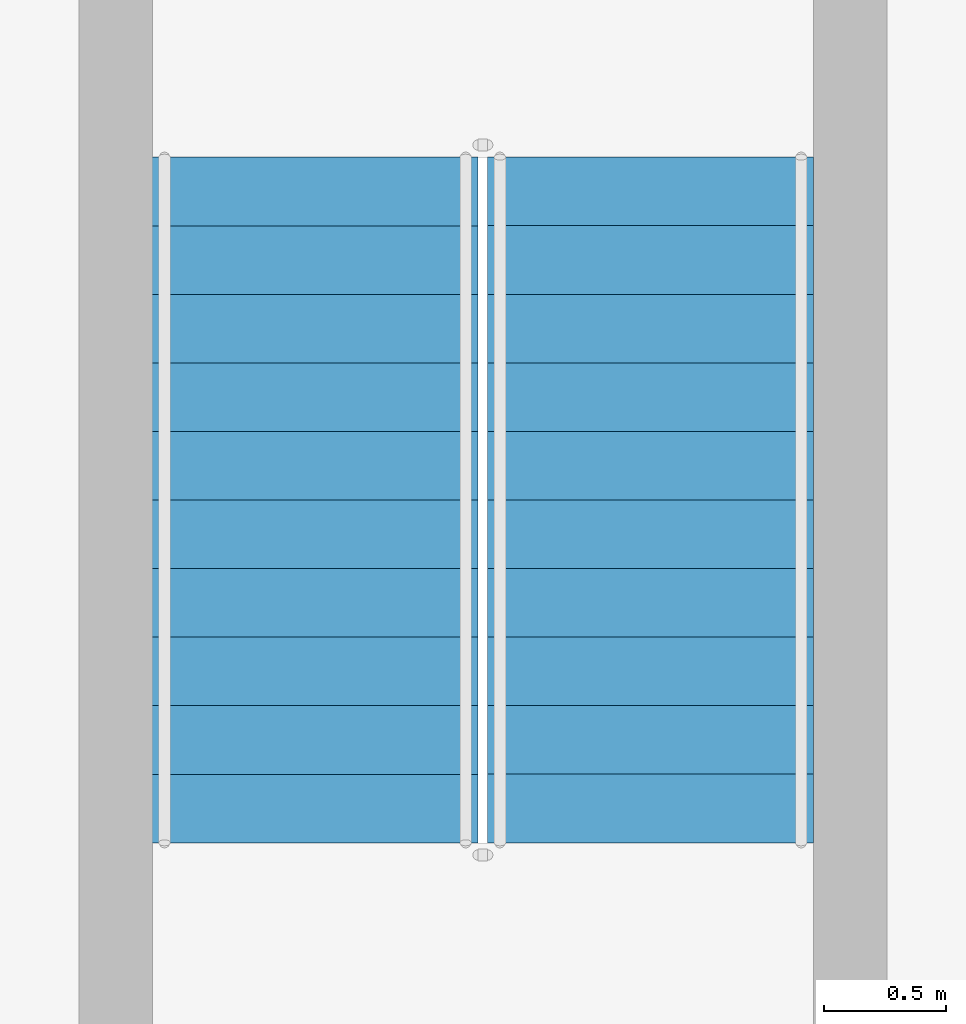
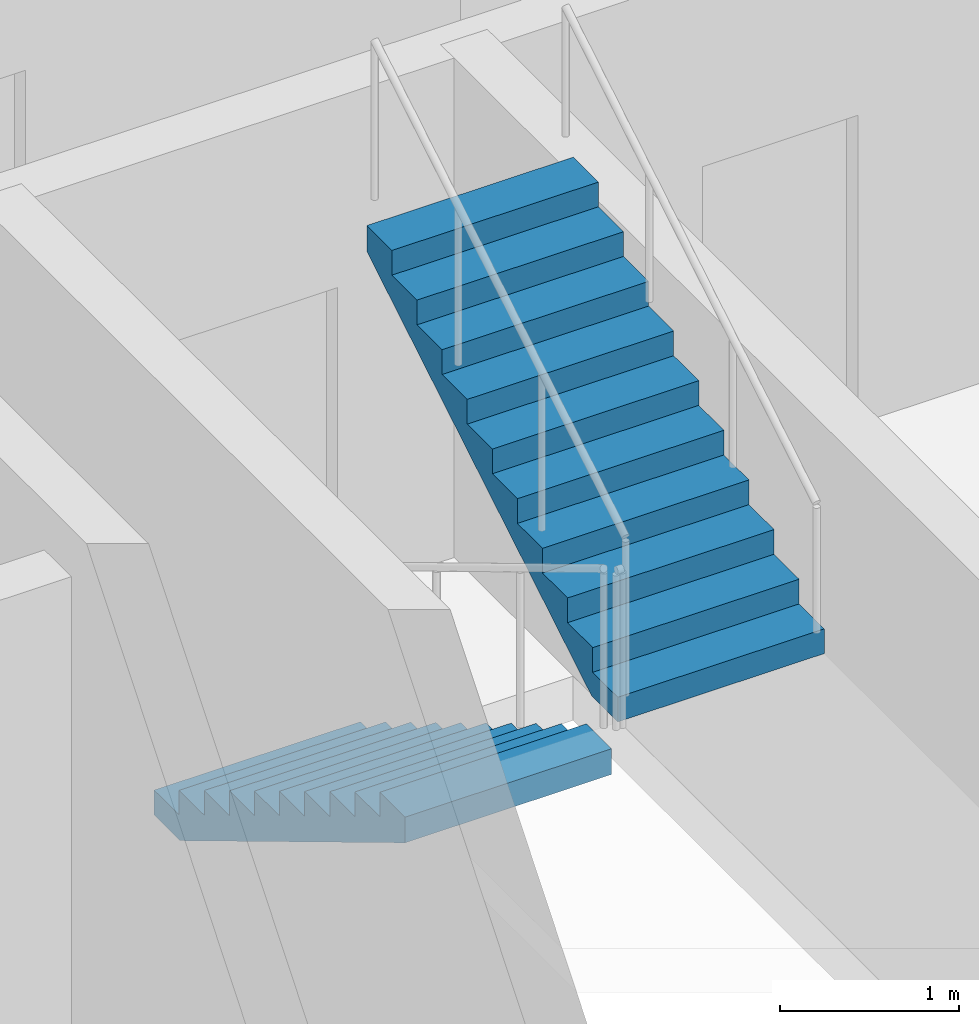
# One storey, part 17 of 25: 2 stair flights, 1 element without a shape of its own.
"""IFC4 building model written with IfcOpenShell, lengths in metres."""

from ifc_helpers import new_model, si_unit, direction, frame, origin, place, context, subcontext, project, spatial, triangles, source, transform, mapped, material, type_object, element, aggregate, save


model = new_model("IFC4")

# Units and contexts
model_context = context("Model", 3, precision=1e-05, world=origin(), true_north=direction((0.0, 1.0)))
body_context = subcontext(model_context, "Body", "Model", "MODEL_VIEW")
ifc_project = project(units=[si_unit("LENGTHUNIT", "METRE"), si_unit("AREAUNIT", "SQUARE_METRE"), si_unit("VOLUMEUNIT", "CUBIC_METRE"), si_unit("PLANEANGLEUNIT", "RADIAN"), si_unit("MASSUNIT", "GRAM", prefix="KILO")], contexts=[model_context])

# Site, building, storey
site_placement = place(None, origin())
site = spatial("IfcSite", under=ifc_project, at=site_placement, CompositionType="ELEMENT")
building_placement = place(site_placement, origin())
building = spatial("IfcBuilding", under=site, at=building_placement, Name="Ogive Portal Towers", CompositionType="ELEMENT")
storey_placement = place(building_placement, frame((0.0, 0.0, 116.699951171875)))
storey = spatial("IfcBuildingStorey", under=building, at=storey_placement, Name="L28", CompositionType="ELEMENT", Elevation=116.699951171875)

# Stair, stair flights
ifc_material = material(Name="Concrete C40/50", Category="concrete")
stair_type = type_object("IfcStairType", Name="INT-STAIR", PredefinedType="HALF_TURN_STAIR", material=ifc_material)
stair_placement = place(storey_placement, origin())
stair = element("IfcStair", 1, at=stair_placement, inside=storey, type_object=stair_type, Name="L28 Exit Stair ST-A4", PredefinedType="HALF_TURN_STAIR")
stair_flight_type = type_object("IfcStairFlightType", Name="INT-FLIGHT", PredefinedType="STRAIGHT", material=ifc_material)
shared_shape = source(origin(), body_context, "Body", "Tessellation", [
    triangles([(0.0, -0.6650390625, 0.0), (0.0, -0.384765625, 0.0), (0.0, -0.197021484375, 0.0), (0.0, -0.0830078125, 0.0), (0.0, -0.024658203125, 0.0), (0.0, -0.003173828125, 0.0), (0.0, 0.0, 0.0), (0.0, 0.003173828125, 0.0), (0.0, 0.024658203125, 0.0), (0.0, 0.0830078125, 0.0), (0.0, 0.197021484375, 0.0), (0.0, 0.384765625, 0.0), (0.0, 0.6650390625, 0.0), (0.0, -0.6650390625, 0.168212890625), (0.0, -0.384765625, 0.168212890625), (0.0, -0.197021484375, 0.168212890625), (0.0, -0.0830078125, 0.168212890625), (0.0, -0.024658203125, 0.168212890625), (0.0, -0.003173828125, 0.168212890625), (0.0, 0.0, 0.168212890625), (0.0, 0.003173828125, 0.168212890625), (0.0, 0.024658203125, 0.168212890625), (0.0, 0.0830078125, 0.168212890625), (0.0, 0.197021484375, 0.168212890625), (0.0, 0.384765625, 0.168212890625), (0.0, 0.6650390625, 0.168212890625), (0.280029296875, -0.6650390625, 0.168212890625), (0.280029296875, -0.384765625, 0.168212890625), (0.280029296875, -0.197021484375, 0.168212890625), (0.280029296875, -0.0830078125, 0.168212890625), (0.280029296875, -0.024658203125, 0.168212890625), (0.280029296875, -0.003173828125, 0.168212890625), (0.280029296875, 0.0, 0.168212890625), (0.280029296875, 0.003173828125, 0.168212890625), (0.280029296875, 0.024658203125, 0.168212890625), (0.280029296875, 0.0830078125, 0.168212890625), (0.280029296875, 0.197021484375, 0.168212890625), (0.280029296875, 0.384765625, 0.168212890625), (0.280029296875, 0.6650390625, 0.168212890625), (0.280029296875, -0.6650390625, 0.33642578125), (0.280029296875, -0.384765625, 0.33642578125), (0.280029296875, -0.197021484375, 0.33642578125), (0.280029296875, -0.0830078125, 0.33642578125), (0.280029296875, -0.024658203125, 0.33642578125), (0.280029296875, -0.003173828125, 0.33642578125), (0.280029296875, 0.0, 0.33642578125), (0.280029296875, 0.003173828125, 0.33642578125), (0.280029296875, 0.024658203125, 0.33642578125), (0.280029296875, 0.0830078125, 0.33642578125), (0.280029296875, 0.197021484375, 0.33642578125), (0.280029296875, 0.384765625, 0.33642578125), (0.280029296875, 0.6650390625, 0.33642578125), (0.56005859375, -0.6650390625, 0.33642578125), (0.56005859375, -0.384765625, 0.33642578125), (0.56005859375, -0.197021484375, 0.33642578125), (0.56005859375, -0.0830078125, 0.33642578125), (0.56005859375, -0.024658203125, 0.33642578125), (0.56005859375, -0.003173828125, 0.33642578125), (0.56005859375, 0.0, 0.33642578125), (0.56005859375, 0.003173828125, 0.33642578125), (0.56005859375, 0.024658203125, 0.33642578125), (0.56005859375, 0.0830078125, 0.33642578125), (0.56005859375, 0.197021484375, 0.33642578125), (0.56005859375, 0.384765625, 0.33642578125), (0.56005859375, 0.6650390625, 0.33642578125), (0.56005859375, -0.6650390625, 0.504638671875), (0.56005859375, -0.384765625, 0.504638671875), (0.56005859375, -0.197021484375, 0.504638671875), (0.56005859375, -0.0830078125, 0.504638671875), (0.56005859375, -0.024658203125, 0.504638671875), (0.56005859375, -0.003173828125, 0.504638671875), (0.56005859375, 0.0, 0.504638671875), (0.56005859375, 0.003173828125, 0.504638671875), (0.56005859375, 0.024658203125, 0.504638671875), (0.56005859375, 0.0830078125, 0.504638671875), (0.56005859375, 0.197021484375, 0.504638671875), (0.56005859375, 0.384765625, 0.504638671875), (0.56005859375, 0.6650390625, 0.504638671875), (0.840087890625, -0.6650390625, 0.504638671875), (0.840087890625, -0.384765625, 0.504638671875), (0.840087890625, -0.197021484375, 0.504638671875), (0.840087890625, -0.0830078125, 0.504638671875), (0.840087890625, -0.024658203125, 0.504638671875), (0.840087890625, -0.003173828125, 0.504638671875), (0.840087890625, 0.0, 0.504638671875), (0.840087890625, 0.003173828125, 0.504638671875), (0.840087890625, 0.024658203125, 0.504638671875), (0.840087890625, 0.0830078125, 0.504638671875), (0.840087890625, 0.197021484375, 0.504638671875), (0.840087890625, 0.384765625, 0.504638671875), (0.840087890625, 0.6650390625, 0.504638671875), (0.840087890625, -0.6650390625, 0.672607421875), (0.840087890625, -0.384765625, 0.672607421875), (0.840087890625, -0.197021484375, 0.672607421875), (0.840087890625, -0.0830078125, 0.672607421875), (0.840087890625, -0.024658203125, 0.672607421875), (0.840087890625, -0.003173828125, 0.672607421875), (0.840087890625, 0.0, 0.672607421875), (0.840087890625, 0.003173828125, 0.672607421875), (0.840087890625, 0.024658203125, 0.672607421875), (0.840087890625, 0.0830078125, 0.672607421875), (0.840087890625, 0.197021484375, 0.672607421875), (0.840087890625, 0.384765625, 0.672607421875), (0.840087890625, 0.6650390625, 0.672607421875), (1.1201171875, -0.6650390625, 0.672607421875), (1.1201171875, -0.384765625, 0.672607421875), (1.1201171875, -0.197021484375, 0.672607421875), (1.1201171875, -0.0830078125, 0.672607421875), (1.1201171875, -0.024658203125, 0.672607421875), (1.1201171875, -0.003173828125, 0.672607421875), (1.1201171875, 0.0, 0.672607421875), (1.1201171875, 0.003173828125, 0.672607421875), (1.1201171875, 0.024658203125, 0.672607421875), (1.1201171875, 0.0830078125, 0.672607421875), (1.1201171875, 0.197021484375, 0.672607421875), (1.1201171875, 0.384765625, 0.672607421875), (1.1201171875, 0.6650390625, 0.672607421875), (1.1201171875, -0.6650390625, 0.8408203125), (1.1201171875, -0.384765625, 0.8408203125), (1.1201171875, -0.197021484375, 0.8408203125), (1.1201171875, -0.0830078125, 0.8408203125), (1.1201171875, -0.024658203125, 0.8408203125), (1.1201171875, -0.003173828125, 0.8408203125), (1.1201171875, 0.0, 0.8408203125), (1.1201171875, 0.003173828125, 0.8408203125), (1.1201171875, 0.024658203125, 0.8408203125), (1.1201171875, 0.0830078125, 0.8408203125), (1.1201171875, 0.197021484375, 0.8408203125), (1.1201171875, 0.384765625, 0.8408203125), (1.1201171875, 0.6650390625, 0.8408203125), (1.39990234375, -0.6650390625, 0.8408203125), (1.39990234375, -0.384765625, 0.8408203125), (1.39990234375, -0.197021484375, 0.8408203125), (1.39990234375, -0.0830078125, 0.8408203125), (1.39990234375, -0.024658203125, 0.8408203125), (1.39990234375, -0.003173828125, 0.8408203125), (1.39990234375, 0.0, 0.8408203125), (1.39990234375, 0.003173828125, 0.8408203125), (1.39990234375, 0.024658203125, 0.8408203125), (1.39990234375, 0.0830078125, 0.8408203125), (1.39990234375, 0.197021484375, 0.8408203125), (1.39990234375, 0.384765625, 0.8408203125), (1.39990234375, 0.6650390625, 0.8408203125), (1.39990234375, -0.6650390625, 1.009033203125), (1.39990234375, -0.384765625, 1.009033203125), (1.39990234375, -0.197021484375, 1.009033203125), (1.39990234375, -0.0830078125, 1.009033203125), (1.39990234375, -0.024658203125, 1.009033203125), (1.39990234375, -0.003173828125, 1.009033203125), (1.39990234375, 0.0, 1.009033203125), (1.39990234375, 0.003173828125, 1.009033203125), (1.39990234375, 0.024658203125, 1.009033203125), (1.39990234375, 0.0830078125, 1.009033203125), (1.39990234375, 0.197021484375, 1.009033203125), (1.39990234375, 0.384765625, 1.009033203125), (1.39990234375, 0.6650390625, 1.009033203125), (1.679931640625, -0.6650390625, 1.009033203125), (1.679931640625, -0.384765625, 1.009033203125), (1.679931640625, -0.197021484375, 1.009033203125), (1.679931640625, -0.0830078125, 1.009033203125), (1.679931640625, -0.024658203125, 1.009033203125), (1.679931640625, -0.003173828125, 1.009033203125), (1.679931640625, 0.0, 1.009033203125), (1.679931640625, 0.003173828125, 1.009033203125), (1.679931640625, 0.024658203125, 1.009033203125), (1.679931640625, 0.0830078125, 1.009033203125), (1.679931640625, 0.197021484375, 1.009033203125), (1.679931640625, 0.384765625, 1.009033203125), (1.679931640625, 0.6650390625, 1.009033203125), (1.679931640625, -0.6650390625, 1.17724609375), (1.679931640625, -0.384765625, 1.17724609375), (1.679931640625, -0.197021484375, 1.17724609375), (1.679931640625, -0.0830078125, 1.17724609375), (1.679931640625, -0.024658203125, 1.17724609375), (1.679931640625, -0.003173828125, 1.17724609375), (1.679931640625, 0.0, 1.17724609375), (1.679931640625, 0.003173828125, 1.17724609375), (1.679931640625, 0.024658203125, 1.17724609375), (1.679931640625, 0.0830078125, 1.17724609375), (1.679931640625, 0.197021484375, 1.17724609375), (1.679931640625, 0.384765625, 1.17724609375), (1.679931640625, 0.6650390625, 1.17724609375), (1.9599609375, -0.6650390625, 1.17724609375), (1.9599609375, -0.384765625, 1.17724609375), (1.9599609375, -0.197021484375, 1.17724609375), (1.9599609375, -0.0830078125, 1.17724609375), (1.9599609375, -0.024658203125, 1.17724609375), (1.9599609375, -0.003173828125, 1.17724609375), (1.9599609375, 0.0, 1.17724609375), (1.9599609375, 0.003173828125, 1.17724609375), (1.9599609375, 0.024658203125, 1.17724609375), (1.9599609375, 0.0830078125, 1.17724609375), (1.9599609375, 0.197021484375, 1.17724609375), (1.9599609375, 0.384765625, 1.17724609375), (1.9599609375, 0.6650390625, 1.17724609375), (1.9599609375, -0.6650390625, 1.345458984375), (1.9599609375, -0.384765625, 1.345458984375), (1.9599609375, -0.197021484375, 1.345458984375), (1.9599609375, -0.0830078125, 1.345458984375), (1.9599609375, -0.024658203125, 1.345458984375), (1.9599609375, -0.003173828125, 1.345458984375), (1.9599609375, 0.0, 1.345458984375), (1.9599609375, 0.003173828125, 1.345458984375), (1.9599609375, 0.024658203125, 1.345458984375), (1.9599609375, 0.0830078125, 1.345458984375), (1.9599609375, 0.197021484375, 1.345458984375), (1.9599609375, 0.384765625, 1.345458984375), (1.9599609375, 0.6650390625, 1.345458984375), (2.239990234375, -0.6650390625, 1.345458984375), (2.239990234375, -0.384765625, 1.345458984375), (2.239990234375, -0.197021484375, 1.345458984375), (2.239990234375, -0.0830078125, 1.345458984375), (2.239990234375, -0.024658203125, 1.345458984375), (2.239990234375, -0.003173828125, 1.345458984375), (2.239990234375, 0.0, 1.345458984375), (2.239990234375, 0.003173828125, 1.345458984375), (2.239990234375, 0.024658203125, 1.345458984375), (2.239990234375, 0.0830078125, 1.345458984375), (2.239990234375, 0.197021484375, 1.345458984375), (2.239990234375, 0.384765625, 1.345458984375), (2.239990234375, 0.6650390625, 1.345458984375), (2.239990234375, -0.6650390625, 1.513671875), (2.239990234375, -0.384765625, 1.513671875), (2.239990234375, -0.197021484375, 1.513671875), (2.239990234375, -0.0830078125, 1.513671875), (2.239990234375, -0.024658203125, 1.513671875), (2.239990234375, -0.003173828125, 1.513671875), (2.239990234375, 0.0, 1.513671875), (2.239990234375, 0.003173828125, 1.513671875), (2.239990234375, 0.024658203125, 1.513671875), (2.239990234375, 0.0830078125, 1.513671875), (2.239990234375, 0.197021484375, 1.513671875), (2.239990234375, 0.384765625, 1.513671875), (2.239990234375, 0.6650390625, 1.513671875), (2.52001953125, -0.6650390625, 1.513671875), (2.52001953125, -0.384765625, 1.513671875), (2.52001953125, -0.197021484375, 1.513671875), (2.52001953125, -0.0830078125, 1.513671875), (2.52001953125, -0.024658203125, 1.513671875), (2.52001953125, -0.003173828125, 1.513671875), (2.52001953125, 0.0, 1.513671875), (2.52001953125, 0.003173828125, 1.513671875), (2.52001953125, 0.024658203125, 1.513671875), (2.52001953125, 0.0830078125, 1.513671875), (2.52001953125, 0.197021484375, 1.513671875), (2.52001953125, 0.384765625, 1.513671875), (2.52001953125, 0.6650390625, 1.513671875), (2.52001953125, -0.6650390625, 1.681884765625), (2.52001953125, -0.384765625, 1.681884765625), (2.52001953125, -0.197021484375, 1.681884765625), (2.52001953125, -0.0830078125, 1.681884765625), (2.52001953125, -0.024658203125, 1.681884765625), (2.52001953125, -0.003173828125, 1.681884765625), (2.52001953125, 0.0, 1.681884765625), (2.52001953125, 0.003173828125, 1.681884765625), (2.52001953125, 0.024658203125, 1.681884765625), (2.52001953125, 0.0830078125, 1.681884765625), (2.52001953125, 0.197021484375, 1.681884765625), (2.52001953125, 0.384765625, 1.681884765625), (2.52001953125, 0.6650390625, 1.681884765625), (2.800048828125, -0.6650390625, 1.681884765625), (2.800048828125, -0.384765625, 1.681884765625), (2.800048828125, -0.197021484375, 1.681884765625), (2.800048828125, -0.0830078125, 1.681884765625), (2.800048828125, -0.024658203125, 1.681884765625), (2.800048828125, -0.003173828125, 1.681884765625), (2.800048828125, 0.0, 1.681884765625), (2.800048828125, 0.003173828125, 1.681884765625), (2.800048828125, 0.024658203125, 1.681884765625), (2.800048828125, 0.0830078125, 1.681884765625), (2.800048828125, 0.197021484375, 1.681884765625), (2.800048828125, 0.384765625, 1.681884765625), (2.800048828125, 0.6650390625, 1.681884765625), (2.800048828125, -0.6650390625, 1.5068359375), (2.800048828125, -0.384765625, 1.5068359375), (2.800048828125, -0.197021484375, 1.5068359375), (2.800048828125, -0.0830078125, 1.5068359375), (2.800048828125, -0.024658203125, 1.5068359375), (2.800048828125, -0.003173828125, 1.5068359375), (2.800048828125, 0.0, 1.5068359375), (2.800048828125, 0.003173828125, 1.5068359375), (2.800048828125, 0.024658203125, 1.5068359375), (2.800048828125, 0.0830078125, 1.5068359375), (2.800048828125, 0.197021484375, 1.5068359375), (2.800048828125, 0.384765625, 1.5068359375), (2.800048828125, 0.6650390625, 1.5068359375), (0.291015625, -0.6650390625, 0.0), (0.291015625, -0.384765625, 0.0), (0.291015625, -0.197021484375, 0.0), (0.291015625, -0.0830078125, 0.0), (0.291015625, -0.024658203125, 0.0), (0.291015625, -0.003173828125, 0.0), (0.291015625, 0.0, 0.0), (0.291015625, 0.003173828125, 0.0), (0.291015625, 0.024658203125, 0.0), (0.291015625, 0.0830078125, 0.0), (0.291015625, 0.197021484375, 0.0), (0.291015625, 0.384765625, 0.0), (0.291015625, 0.6650390625, 0.0)], [[1, 14, 15], [1, 15, 2], [2, 15, 16], [2, 16, 3], [3, 16, 17], [3, 17, 4], [4, 17, 18], [4, 18, 5], [5, 18, 19], [5, 19, 6], [6, 19, 20], [6, 20, 7], [7, 20, 21], [7, 21, 8], [8, 21, 22], [8, 22, 9], [9, 22, 23], [9, 23, 10], [10, 23, 24], [10, 24, 11], [11, 24, 25], [11, 25, 12], [12, 25, 26], [12, 26, 13], [14, 27, 28], [14, 28, 15], [15, 28, 29], [15, 29, 16], [16, 29, 30], [16, 30, 17], [17, 30, 31], [17, 31, 18], [18, 31, 32], [18, 32, 19], [19, 32, 33], [19, 33, 20], [20, 33, 34], [20, 34, 21], [21, 34, 35], [21, 35, 22], [22, 35, 36], [22, 36, 23], [23, 36, 37], [23, 37, 24], [24, 37, 38], [24, 38, 25], [25, 38, 39], [25, 39, 26], [27, 40, 41], [27, 41, 28], [28, 41, 42], [28, 42, 29], [29, 42, 43], [29, 43, 30], [30, 43, 44], [30, 44, 31], [31, 44, 45], [31, 45, 32], [32, 45, 46], [32, 46, 33], [33, 46, 47], [33, 47, 34], [34, 47, 48], [34, 48, 35], [35, 48, 49], [35, 49, 36], [36, 49, 50], [36, 50, 37], [37, 50, 51], [37, 51, 38], [38, 51, 52], [38, 52, 39], [40, 53, 54], [40, 54, 41], [41, 54, 55], [41, 55, 42], [42, 55, 56], [42, 56, 43], [43, 56, 57], [43, 57, 44], [44, 57, 58], [44, 58, 45], [45, 58, 59], [45, 59, 46], [46, 59, 60], [46, 60, 47], [47, 60, 61], [47, 61, 48], [48, 61, 62], [48, 62, 49], [49, 62, 63], [49, 63, 50], [50, 63, 64], [50, 64, 51], [51, 64, 65], [51, 65, 52], [53, 66, 67], [53, 67, 54], [54, 67, 68], [54, 68, 55], [55, 68, 69], [55, 69, 56], [56, 69, 70], [56, 70, 57], [57, 70, 71], [57, 71, 58], [58, 71, 72], [58, 72, 59], [59, 72, 73], [59, 73, 60], [60, 73, 74], [60, 74, 61], [61, 74, 75], [61, 75, 62], [62, 75, 76], [62, 76, 63], [63, 76, 77], [63, 77, 64], [64, 77, 78], [64, 78, 65], [66, 79, 80], [66, 80, 67], [67, 80, 81], [67, 81, 68], [68, 81, 82], [68, 82, 69], [69, 82, 83], [69, 83, 70], [70, 83, 84], [70, 84, 71], [71, 84, 85], [71, 85, 72], [72, 85, 86], [72, 86, 73], [73, 86, 87], [73, 87, 74], [74, 87, 88], [74, 88, 75], [75, 88, 89], [75, 89, 76], [76, 89, 90], [76, 90, 77], [77, 90, 91], [77, 91, 78], [79, 92, 93], [79, 93, 80], [80, 93, 94], [80, 94, 81], [81, 94, 95], [81, 95, 82], [82, 95, 96], [82, 96, 83], [83, 96, 97], [83, 97, 84], [84, 97, 98], [84, 98, 85], [85, 98, 99], [85, 99, 86], [86, 99, 100], [86, 100, 87], [87, 100, 101], [87, 101, 88], [88, 101, 102], [88, 102, 89], [89, 102, 103], [89, 103, 90], [90, 103, 104], [90, 104, 91], [92, 105, 106], [92, 106, 93], [93, 106, 107], [93, 107, 94], [94, 107, 108], [94, 108, 95], [95, 108, 109], [95, 109, 96], [96, 109, 110], [96, 110, 97], [97, 110, 111], [97, 111, 98], [98, 111, 112], [98, 112, 99], [99, 112, 113], [99, 113, 100], [100, 113, 114], [100, 114, 101], [101, 114, 115], [101, 115, 102], [102, 115, 116], [102, 116, 103], [103, 116, 117], [103, 117, 104], [105, 118, 119], [105, 119, 106], [106, 119, 120], [106, 120, 107], [107, 120, 121], [107, 121, 108], [108, 121, 122], [108, 122, 109], [109, 122, 123], [109, 123, 110], [110, 123, 124], [110, 124, 111], [111, 124, 125], [111, 125, 112], [112, 125, 126], [112, 126, 113], [113, 126, 127], [113, 127, 114], [114, 127, 128], [114, 128, 115], [115, 128, 129], [115, 129, 116], [116, 129, 130], [116, 130, 117], [118, 131, 132], [118, 132, 119], [119, 132, 133], [119, 133, 120], [120, 133, 134], [120, 134, 121], [121, 134, 135], [121, 135, 122], [122, 135, 136], [122, 136, 123], [123, 136, 137], [123, 137, 124], [124, 137, 138], [124, 138, 125], [125, 138, 139], [125, 139, 126], [126, 139, 140], [126, 140, 127], [127, 140, 141], [127, 141, 128], [128, 141, 142], [128, 142, 129], [129, 142, 143], [129, 143, 130], [131, 144, 145], [131, 145, 132], [132, 145, 146], [132, 146, 133], [133, 146, 147], [133, 147, 134], [134, 147, 148], [134, 148, 135], [135, 148, 149], [135, 149, 136], [136, 149, 150], [136, 150, 137], [137, 150, 151], [137, 151, 138], [138, 151, 152], [138, 152, 139], [139, 152, 153], [139, 153, 140], [140, 153, 154], [140, 154, 141], [141, 154, 155], [141, 155, 142], [142, 155, 156], [142, 156, 143], [144, 157, 158], [144, 158, 145], [145, 158, 159], [145, 159, 146], [146, 159, 160], [146, 160, 147], [147, 160, 161], [147, 161, 148], [148, 161, 162], [148, 162, 149], [149, 162, 163], [149, 163, 150], [150, 163, 164], [150, 164, 151], [151, 164, 165], [151, 165, 152], [152, 165, 166], [152, 166, 153], [153, 166, 167], [153, 167, 154], [154, 167, 168], [154, 168, 155], [155, 168, 169], [155, 169, 156], [157, 170, 171], [157, 171, 158], [158, 171, 172], [158, 172, 159], [159, 172, 173], [159, 173, 160], [160, 173, 174], [160, 174, 161], [161, 174, 175], [161, 175, 162], [162, 175, 176], [162, 176, 163], [163, 176, 177], [163, 177, 164], [164, 177, 178], [164, 178, 165], [165, 178, 179], [165, 179, 166], [166, 179, 180], [166, 180, 167], [167, 180, 181], [167, 181, 168], [168, 181, 182], [168, 182, 169], [170, 183, 184], [170, 184, 171], [171, 184, 185], [171, 185, 172], [172, 185, 186], [172, 186, 173], [173, 186, 187], [173, 187, 174], [174, 187, 188], [174, 188, 175], [175, 188, 189], [175, 189, 176], [176, 189, 190], [176, 190, 177], [177, 190, 191], [177, 191, 178], [178, 191, 192], [178, 192, 179], [179, 192, 193], [179, 193, 180], [180, 193, 194], [180, 194, 181], [181, 194, 195], [181, 195, 182], [183, 196, 197], [183, 197, 184], [184, 197, 198], [184, 198, 185], [185, 198, 199], [185, 199, 186], [186, 199, 200], [186, 200, 187], [187, 200, 201], [187, 201, 188], [188, 201, 202], [188, 202, 189], [189, 202, 203], [189, 203, 190], [190, 203, 204], [190, 204, 191], [191, 204, 205], [191, 205, 192], [192, 205, 206], [192, 206, 193], [193, 206, 207], [193, 207, 194], [194, 207, 208], [194, 208, 195], [196, 209, 210], [196, 210, 197], [197, 210, 211], [197, 211, 198], [198, 211, 212], [198, 212, 199], [199, 212, 213], [199, 213, 200], [200, 213, 214], [200, 214, 201], [201, 214, 215], [201, 215, 202], [202, 215, 216], [202, 216, 203], [203, 216, 217], [203, 217, 204], [204, 217, 218], [204, 218, 205], [205, 218, 219], [205, 219, 206], [206, 219, 220], [206, 220, 207], [207, 220, 221], [207, 221, 208], [209, 222, 223], [209, 223, 210], [210, 223, 224], [210, 224, 211], [211, 224, 225], [211, 225, 212], [212, 225, 226], [212, 226, 213], [213, 226, 227], [213, 227, 214], [214, 227, 228], [214, 228, 215], [215, 228, 229], [215, 229, 216], [216, 229, 230], [216, 230, 217], [217, 230, 231], [217, 231, 218], [218, 231, 232], [218, 232, 219], [219, 232, 233], [219, 233, 220], [220, 233, 234], [220, 234, 221], [222, 235, 236], [222, 236, 223], [223, 236, 237], [223, 237, 224], [224, 237, 238], [224, 238, 225], [225, 238, 239], [225, 239, 226], [226, 239, 240], [226, 240, 227], [227, 240, 241], [227, 241, 228], [228, 241, 242], [228, 242, 229], [229, 242, 243], [229, 243, 230], [230, 243, 244], [230, 244, 231], [231, 244, 245], [231, 245, 232], [232, 245, 246], [232, 246, 233], [233, 246, 247], [233, 247, 234], [235, 248, 249], [235, 249, 236], [236, 249, 250], [236, 250, 237], [237, 250, 251], [237, 251, 238], [238, 251, 252], [238, 252, 239], [239, 252, 253], [239, 253, 240], [240, 253, 254], [240, 254, 241], [241, 254, 255], [241, 255, 242], [242, 255, 256], [242, 256, 243], [243, 256, 257], [243, 257, 244], [244, 257, 258], [244, 258, 245], [245, 258, 259], [245, 259, 246], [246, 259, 260], [246, 260, 247], [248, 261, 262], [248, 262, 249], [249, 262, 263], [249, 263, 250], [250, 263, 264], [250, 264, 251], [251, 264, 265], [251, 265, 252], [252, 265, 266], [252, 266, 253], [253, 266, 267], [253, 267, 254], [254, 267, 268], [254, 268, 255], [255, 268, 269], [255, 269, 256], [256, 269, 270], [256, 270, 257], [257, 270, 271], [257, 271, 258], [258, 271, 272], [258, 272, 259], [259, 272, 273], [259, 273, 260], [261, 274, 275], [261, 275, 262], [262, 275, 276], [262, 276, 263], [263, 276, 277], [263, 277, 264], [264, 277, 278], [264, 278, 265], [265, 278, 279], [265, 279, 266], [266, 279, 280], [266, 280, 267], [267, 280, 281], [267, 281, 268], [268, 281, 282], [268, 282, 269], [269, 282, 283], [269, 283, 270], [270, 283, 284], [270, 284, 271], [271, 284, 285], [271, 285, 272], [272, 285, 286], [272, 286, 273], [274, 287, 288], [274, 288, 275], [275, 288, 289], [275, 289, 276], [276, 289, 290], [276, 290, 277], [277, 290, 291], [277, 291, 278], [278, 291, 292], [278, 292, 279], [279, 292, 293], [279, 293, 280], [280, 293, 294], [280, 294, 281], [281, 294, 295], [281, 295, 282], [282, 295, 296], [282, 296, 283], [283, 296, 297], [283, 297, 284], [284, 297, 298], [284, 298, 285], [285, 298, 299], [285, 299, 286], [287, 1, 2], [287, 2, 288], [288, 2, 3], [288, 3, 289], [289, 3, 4], [289, 4, 290], [290, 4, 5], [290, 5, 291], [291, 5, 6], [291, 6, 292], [292, 6, 7], [292, 7, 293], [293, 7, 8], [293, 8, 294], [294, 8, 9], [294, 9, 295], [295, 9, 10], [295, 10, 296], [296, 10, 11], [296, 11, 297], [297, 11, 12], [297, 12, 298], [298, 12, 13], [298, 13, 299], [1, 287, 274], [13, 286, 299], [274, 261, 248], [286, 260, 273], [274, 248, 235], [286, 247, 260], [274, 235, 222], [286, 234, 247], [274, 222, 209], [286, 221, 234], [209, 196, 183], [221, 195, 208], [274, 209, 183], [286, 195, 221], [183, 170, 157], [195, 169, 182], [274, 183, 157], [286, 169, 195], [157, 144, 131], [169, 143, 156], [274, 157, 131], [286, 143, 169], [131, 118, 105], [143, 117, 130], [274, 131, 105], [286, 117, 143], [1, 274, 105], [13, 117, 286], [105, 92, 79], [117, 91, 104], [79, 66, 53], [91, 65, 78], [105, 79, 53], [117, 65, 91], [53, 40, 27], [65, 39, 52], [105, 53, 27], [117, 39, 65], [1, 105, 27], [13, 39, 117], [27, 14, 1], [39, 13, 26]], closed=True),
])
stair_flight_1_placement = place(storey_placement, frame((87.6650390625, 29.169921875, 0.0), z_axis=(0.0, 0.0, 1.0), x_axis=(0.0, -1.0, 0.0)))
stair_flight_1 = element("IfcStairFlight", 2, at=stair_flight_1_placement, type_object=stair_flight_type, Name="ST-A4 flight 1", NumberOfRisers=11, NumberOfTreads=10, PredefinedType="STRAIGHT", RiserHeight=0.168181818, TreadLength=0.28, context=body_context, shape_type="MappedRepresentation", body=[
    mapped(shared_shape, transform((0.0, 0.0, 0.0), scale=1.0)),
])
stair_flight_2_placement = place(storey_placement, frame((89.034912109375, 26.3701171875, 1.85009765625), z_axis=(0.0, 0.0, 1.0), x_axis=(0.0, 1.0, 0.0)))
stair_flight_2 = element("IfcStairFlight", 3, at=stair_flight_2_placement, type_object=stair_flight_type, Name="ST-A4 flight 2", NumberOfRisers=11, NumberOfTreads=10, PredefinedType="STRAIGHT", RiserHeight=0.168181818, TreadLength=0.28, context=body_context, shape_type="MappedRepresentation", body=[
    mapped(shared_shape, transform((0.0, 0.0, 0.0), scale=1.0)),
])
aggregate(stair, [stair_flight_1, stair_flight_2])

save(model, "model.ifc")
